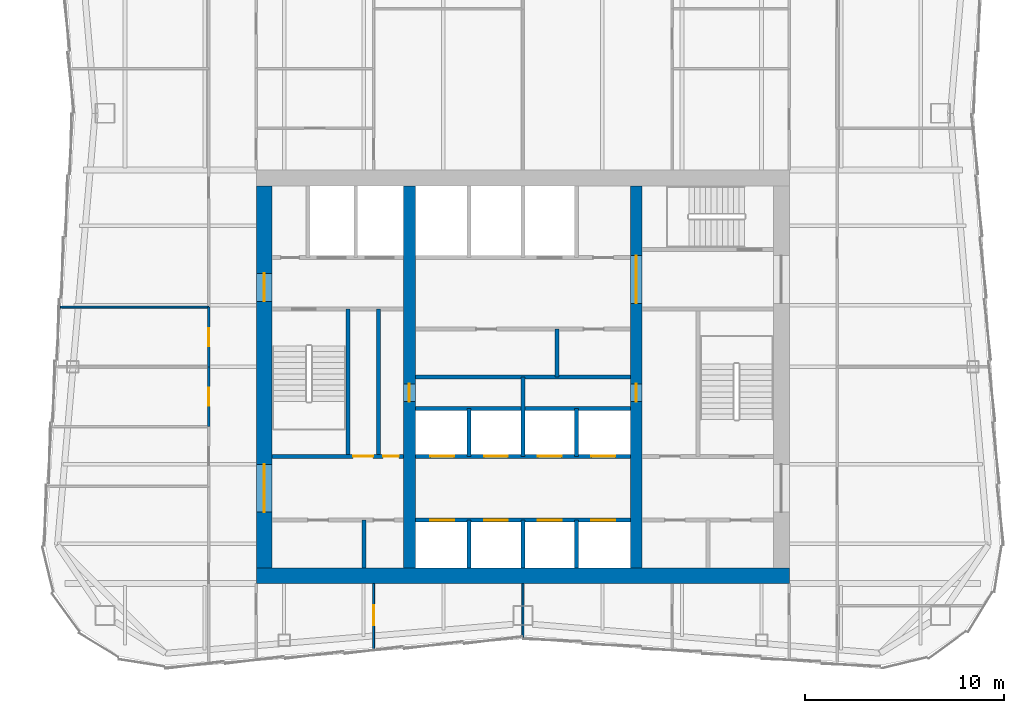
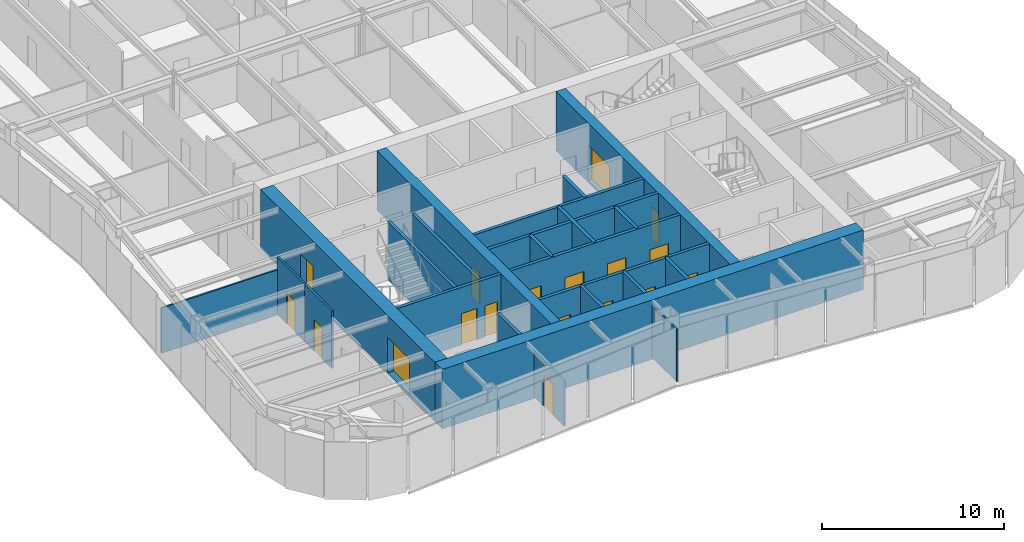
# One storey, part 6 of 11: 24 walls, 18 doors, 18 openings.
"""IFC4 building model written with IfcOpenShell, lengths in metres."""

from ifc_helpers import new_model, si_unit, direction, frame, frame_2d, origin, place, context, subcontext, project, spatial, rectangle, extrude, material, layer, layer_set, type_object, element, fill, save


model = new_model("IFC4")

# Units and contexts
model_context = context("Model", 3, precision=1e-05, world=origin(), true_north=direction((0.0, 1.0)))
body_context = subcontext(model_context, "Body", "Model", "MODEL_VIEW")
ifc_project = project(units=[si_unit("LENGTHUNIT", "METRE"), si_unit("AREAUNIT", "SQUARE_METRE"), si_unit("VOLUMEUNIT", "CUBIC_METRE"), si_unit("PLANEANGLEUNIT", "RADIAN"), si_unit("MASSUNIT", "GRAM", prefix="KILO")], contexts=[model_context])

# Site, building, storey
site_placement = place(None, origin())
site = spatial("IfcSite", under=ifc_project, at=site_placement, CompositionType="ELEMENT")
building_placement = place(site_placement, origin())
building = spatial("IfcBuilding", under=site, at=building_placement, Name="Verdant Reach Tower", CompositionType="ELEMENT")
storey_placement = place(building_placement, frame((0.0, 0.0, 258.0)))
storey = spatial("IfcBuildingStorey", under=building, at=storey_placement, Name="L59", CompositionType="ELEMENT", Elevation=258.0)

# Walls
ifc_material_1 = material(Name="Gypsum board on steel studs", Category="steel")
ifc_layer_1 = layer(ifc_material_1, 0.199951171875)
ifc_layer_set_1 = layer_set([ifc_layer_1], Name="CO-WALL-ROOM")
wall_type_1 = type_object("IfcWallType", Name="CO-WALL-ROOM", PredefinedType="PARTITIONING", material=ifc_layer_set_1)
wall_1_placement = place(storey_placement, frame((-5.39990234375, 28.0, 0.0), z_axis=(0.0, 0.0, 1.0), x_axis=(1.0, 0.0, 0.0)))
element("IfcWall", 1, at=wall_1_placement, inside=storey, type_object=wall_type_1, Name="Core partition, L59", PredefinedType="PARTITIONING", context=body_context, shape_type="SweptSolid", body=[
    extrude(rectangle(XDim=10.7998046875, YDim=0.199951171875, at=frame_2d((5.39990234375, 0.0))), origin(), (0.0, 0.0, 1.0), 3.8701171875),
])
wall_2_placement = place(storey_placement, frame((-7.97998046875, 18.39990234375, 0.0), z_axis=(0.0, 0.0, 1.0), x_axis=(0.0, 1.0, 0.0)))
element("IfcWall", 2, at=wall_2_placement, inside=storey, type_object=wall_type_1, Name="Core partition, L59", PredefinedType="PARTITIONING", context=body_context, shape_type="SweptSolid", body=[
    extrude(rectangle(XDim=2.400146484375, YDim=0.199951171875, at=frame_2d((1.2001953125, 0.0))), origin(), (0.0, 0.0, 1.0), 3.8701171875),
])
wall_3_placement = place(storey_placement, frame((-7.260009765625, 24.0, 0.0), z_axis=(0.0, 0.0, 1.0), x_axis=(0.0, 1.0, 0.0)))
element("IfcWall", 3, at=wall_3_placement, inside=storey, type_object=wall_type_1, Name="Core partition, L59", PredefinedType="PARTITIONING", context=body_context, shape_type="SweptSolid", body=[
    extrude(rectangle(XDim=7.39990234375, YDim=0.199951171875, at=frame_2d((3.699951171875, 0.0))), origin(), (0.0, 0.0, 1.0), 3.8701171875),
])
wall_4_placement = place(storey_placement, frame((1.72802734375, 28.0, 0.0), z_axis=(0.0, 0.0, 1.0), x_axis=(0.0, 1.0, 0.0)))
element("IfcWall", 4, at=wall_4_placement, inside=storey, type_object=wall_type_1, Name="Core partition, L59", PredefinedType="PARTITIONING", context=body_context, shape_type="SweptSolid", body=[
    extrude(rectangle(XDim=2.39990234375, YDim=0.199951171875, at=frame_2d((1.199951171875, 0.0))), origin(), (0.0, 0.0, 1.0), 3.8701171875),
])

# Wall, openings, doors
ifc_material_2 = material(Name="Concrete C40/50", Category="concrete")
ifc_layer_2 = layer(ifc_material_2, 0.199951171875)
ifc_layer_set_2 = layer_set([ifc_layer_2], Name="CO-WALL-SHAFT")
wall_type_2 = type_object("IfcWallType", Name="CO-WALL-SHAFT", PredefinedType="PARTITIONING", material=ifc_layer_set_2)
wall_5_placement = place(storey_placement, frame((-5.39990234375, 20.800048828125, 0.0), z_axis=(0.0, 0.0, 1.0), x_axis=(1.0, 0.0, 0.0)))
wall_5 = element("IfcWall", 5, at=wall_5_placement, inside=storey, type_object=wall_type_2, Name="Lift shaft wall, L59", PredefinedType="PARTITIONING", context=body_context, shape_type="SweptSolid", body=[
    extrude(rectangle(XDim=10.7998046875, YDim=0.199951171875, at=frame_2d((5.39990234375, 0.0))), origin(), (0.0, 0.0, 1.0), 3.8701171875),
])
opening_1_placement = place(wall_5_placement, frame((0.75, 0.0, 0.0)))
opening_1 = element("IfcOpeningElement", 6, at=opening_1_placement, cuts=wall_5, Name="Opening LD-B1", PredefinedType="OPENING", context=body_context, shape_type="SweptSolid", body=[
    extrude(rectangle(XDim=1.199951171875, YDim=2.199951171875, at=frame_2d((0.60009765625, 1.10009765625))), frame((0.0, 0.10986328125, 0.0), z_axis=(0.0, -1.0, 0.0), x_axis=(1.0, 0.0, 0.0)), (0.0, 0.0, 1.0), 0.219970703125),
])
opening_2_placement = place(wall_5_placement, frame((3.449951171875, 0.0, 0.0)))
opening_2 = element("IfcOpeningElement", 7, at=opening_2_placement, cuts=wall_5, Name="Opening LD-B2", PredefinedType="OPENING", context=body_context, shape_type="SweptSolid", body=[
    extrude(rectangle(XDim=1.199951171875, YDim=2.199951171875, at=frame_2d((0.60009765625, 1.10009765625))), frame((0.0, 0.10986328125, 0.0), z_axis=(0.0, -1.0, 0.0), x_axis=(1.0, 0.0, 0.0)), (0.0, 0.0, 1.0), 0.219970703125),
])
opening_3_placement = place(wall_5_placement, frame((6.14990234375, 0.0, 0.0)))
opening_3 = element("IfcOpeningElement", 8, at=opening_3_placement, cuts=wall_5, Name="Opening LD-B3", PredefinedType="OPENING", context=body_context, shape_type="SweptSolid", body=[
    extrude(rectangle(XDim=1.199951171875, YDim=2.199951171875, at=frame_2d((0.60009765625, 1.10009765625))), frame((0.0, 0.10986328125, 0.0), z_axis=(0.0, -1.0, 0.0), x_axis=(1.0, 0.0, 0.0)), (0.0, 0.0, 1.0), 0.219970703125),
])
opening_4_placement = place(wall_5_placement, frame((8.85009765625, 0.0, 0.0)))
opening_4 = element("IfcOpeningElement", 9, at=opening_4_placement, cuts=wall_5, Name="Opening LD-B4", PredefinedType="OPENING", context=body_context, shape_type="SweptSolid", body=[
    extrude(rectangle(XDim=1.199951171875, YDim=2.199951171875, at=frame_2d((0.60009765625, 1.10009765625))), frame((0.0, 0.10986328125, 0.0), z_axis=(0.0, -1.0, 0.0), x_axis=(1.0, 0.0, 0.0)), (0.0, 0.0, 1.0), 0.219970703125),
])
ifc_material_3 = material(Name="Stainless steel", Category="steel")
door_type_1 = type_object("IfcDoorType", Name="CO-DOOR-LANDING", OperationType="SLIDING_TO_LEFT", PredefinedType="DOOR", material=ifc_material_3)
door_1_placement = place(opening_1_placement, origin())
door_1 = element("IfcDoor", 10, at=door_1_placement, inside=storey, type_object=door_type_1, Name="Landing door B1, L59", OperationType="SLIDING_TO_LEFT", OverallHeight=2.199951171875, OverallWidth=1.199951171875, PredefinedType="DOOR", context=body_context, shape_type="SweptSolid", body=[
    extrude(rectangle(XDim=1.199951171875, YDim=2.199951171875, at=frame_2d((0.60009765625, 1.10009765625))), frame((0.0, 0.02490234375, 0.0), z_axis=(0.0, -1.0, 0.0), x_axis=(1.0, 0.0, 0.0)), (0.0, 0.0, 1.0), 0.050048828125),
])
fill(opening_1, door_1)
door_2_placement = place(opening_2_placement, origin())
door_2 = element("IfcDoor", 11, at=door_2_placement, inside=storey, type_object=door_type_1, Name="Landing door B2, L59", OperationType="SLIDING_TO_LEFT", OverallHeight=2.199951171875, OverallWidth=1.199951171875, PredefinedType="DOOR", context=body_context, shape_type="SweptSolid", body=[
    extrude(rectangle(XDim=1.199951171875, YDim=2.199951171875, at=frame_2d((0.60009765625, 1.10009765625))), frame((0.0, 0.02490234375, 0.0), z_axis=(0.0, -1.0, 0.0), x_axis=(1.0, 0.0, 0.0)), (0.0, 0.0, 1.0), 0.050048828125),
])
fill(opening_2, door_2)
door_3_placement = place(opening_3_placement, origin())
door_3 = element("IfcDoor", 12, at=door_3_placement, inside=storey, type_object=door_type_1, Name="Landing door B3, L59", OperationType="SLIDING_TO_LEFT", OverallHeight=2.199951171875, OverallWidth=1.199951171875, PredefinedType="DOOR", context=body_context, shape_type="SweptSolid", body=[
    extrude(rectangle(XDim=1.199951171875, YDim=2.199951171875, at=frame_2d((0.60009765625, 1.10009765625))), frame((0.0, 0.02490234375, 0.0), z_axis=(0.0, -1.0, 0.0), x_axis=(1.0, 0.0, 0.0)), (0.0, 0.0, 1.0), 0.050048828125),
])
fill(opening_3, door_3)
door_4_placement = place(opening_4_placement, origin())
door_4 = element("IfcDoor", 13, at=door_4_placement, inside=storey, type_object=door_type_1, Name="Landing door B4, L59", OperationType="SLIDING_TO_LEFT", OverallHeight=2.199951171875, OverallWidth=1.199951171875, PredefinedType="DOOR", context=body_context, shape_type="SweptSolid", body=[
    extrude(rectangle(XDim=1.199951171875, YDim=2.199951171875, at=frame_2d((0.60009765625, 1.10009765625))), frame((0.0, 0.02490234375, 0.0), z_axis=(0.0, -1.0, 0.0), x_axis=(1.0, 0.0, 0.0)), (0.0, 0.0, 1.0), 0.050048828125),
])
fill(opening_4, door_4)

wall_6_placement = place(storey_placement, frame((-5.39990234375, 24.0, 0.0), z_axis=(0.0, 0.0, 1.0), x_axis=(1.0, 0.0, 0.0)))
wall_6 = element("IfcWall", 14, at=wall_6_placement, inside=storey, type_object=wall_type_2, Name="Lift shaft wall, L59", PredefinedType="PARTITIONING", context=body_context, shape_type="SweptSolid", body=[
    extrude(rectangle(XDim=10.7998046875, YDim=0.199951171875, at=frame_2d((5.39990234375, 0.0))), origin(), (0.0, 0.0, 1.0), 3.8701171875),
])
opening_5_placement = place(wall_6_placement, frame((0.75, 0.0, 0.0)))
opening_5 = element("IfcOpeningElement", 15, at=opening_5_placement, cuts=wall_6, Name="Opening LD-A5", PredefinedType="OPENING", context=body_context, shape_type="SweptSolid", body=[
    extrude(rectangle(XDim=1.199951171875, YDim=2.199951171875, at=frame_2d((0.60009765625, 1.10009765625))), frame((0.0, 0.10986328125, 0.0), z_axis=(0.0, -1.0, 0.0), x_axis=(1.0, 0.0, 0.0)), (0.0, 0.0, 1.0), 0.219970703125),
])
opening_6_placement = place(wall_6_placement, frame((3.449951171875, 0.0, 0.0)))
opening_6 = element("IfcOpeningElement", 16, at=opening_6_placement, cuts=wall_6, Name="Opening LD-A6", PredefinedType="OPENING", context=body_context, shape_type="SweptSolid", body=[
    extrude(rectangle(XDim=1.199951171875, YDim=2.199951171875, at=frame_2d((0.60009765625, 1.10009765625))), frame((0.0, 0.10986328125, 0.0), z_axis=(0.0, -1.0, 0.0), x_axis=(1.0, 0.0, 0.0)), (0.0, 0.0, 1.0), 0.219970703125),
])
opening_7_placement = place(wall_6_placement, frame((6.14990234375, 0.0, 0.0)))
opening_7 = element("IfcOpeningElement", 17, at=opening_7_placement, cuts=wall_6, Name="Opening LD-A7", PredefinedType="OPENING", context=body_context, shape_type="SweptSolid", body=[
    extrude(rectangle(XDim=1.199951171875, YDim=2.199951171875, at=frame_2d((0.60009765625, 1.10009765625))), frame((0.0, 0.10986328125, 0.0), z_axis=(0.0, -1.0, 0.0), x_axis=(1.0, 0.0, 0.0)), (0.0, 0.0, 1.0), 0.219970703125),
])
opening_8_placement = place(wall_6_placement, frame((8.85009765625, 0.0, 0.0)))
opening_8 = element("IfcOpeningElement", 18, at=opening_8_placement, cuts=wall_6, Name="Opening LD-A8", PredefinedType="OPENING", context=body_context, shape_type="SweptSolid", body=[
    extrude(rectangle(XDim=1.199951171875, YDim=2.199951171875, at=frame_2d((0.60009765625, 1.10009765625))), frame((0.0, 0.10986328125, 0.0), z_axis=(0.0, -1.0, 0.0), x_axis=(1.0, 0.0, 0.0)), (0.0, 0.0, 1.0), 0.219970703125),
])
door_5_placement = place(opening_5_placement, origin())
door_5 = element("IfcDoor", 19, at=door_5_placement, inside=storey, type_object=door_type_1, Name="Landing door A5, L59", OperationType="SLIDING_TO_LEFT", OverallHeight=2.199951171875, OverallWidth=1.199951171875, PredefinedType="DOOR", context=body_context, shape_type="SweptSolid", body=[
    extrude(rectangle(XDim=1.199951171875, YDim=2.199951171875, at=frame_2d((0.60009765625, 1.10009765625))), frame((0.0, 0.02490234375, 0.0), z_axis=(0.0, -1.0, 0.0), x_axis=(1.0, 0.0, 0.0)), (0.0, 0.0, 1.0), 0.050048828125),
])
fill(opening_5, door_5)
door_6_placement = place(opening_6_placement, origin())
door_6 = element("IfcDoor", 20, at=door_6_placement, inside=storey, type_object=door_type_1, Name="Landing door A6, L59", OperationType="SLIDING_TO_LEFT", OverallHeight=2.199951171875, OverallWidth=1.199951171875, PredefinedType="DOOR", context=body_context, shape_type="SweptSolid", body=[
    extrude(rectangle(XDim=1.199951171875, YDim=2.199951171875, at=frame_2d((0.60009765625, 1.10009765625))), frame((0.0, 0.02490234375, 0.0), z_axis=(0.0, -1.0, 0.0), x_axis=(1.0, 0.0, 0.0)), (0.0, 0.0, 1.0), 0.050048828125),
])
fill(opening_6, door_6)
door_7_placement = place(opening_7_placement, origin())
door_7 = element("IfcDoor", 21, at=door_7_placement, inside=storey, type_object=door_type_1, Name="Landing door A7, L59", OperationType="SLIDING_TO_LEFT", OverallHeight=2.199951171875, OverallWidth=1.199951171875, PredefinedType="DOOR", context=body_context, shape_type="SweptSolid", body=[
    extrude(rectangle(XDim=1.199951171875, YDim=2.199951171875, at=frame_2d((0.60009765625, 1.10009765625))), frame((0.0, 0.02490234375, 0.0), z_axis=(0.0, -1.0, 0.0), x_axis=(1.0, 0.0, 0.0)), (0.0, 0.0, 1.0), 0.050048828125),
])
fill(opening_7, door_7)
door_8_placement = place(opening_8_placement, origin())
door_8 = element("IfcDoor", 22, at=door_8_placement, inside=storey, type_object=door_type_1, Name="Landing door A8, L59", OperationType="SLIDING_TO_LEFT", OverallHeight=2.199951171875, OverallWidth=1.199951171875, PredefinedType="DOOR", context=body_context, shape_type="SweptSolid", body=[
    extrude(rectangle(XDim=1.199951171875, YDim=2.199951171875, at=frame_2d((0.60009765625, 1.10009765625))), frame((0.0, 0.02490234375, 0.0), z_axis=(0.0, -1.0, 0.0), x_axis=(1.0, 0.0, 0.0)), (0.0, 0.0, 1.0), 0.050048828125),
])
fill(opening_8, door_8)

# Walls
wall_7_placement = place(storey_placement, frame((-5.39990234375, 26.39990234375, 0.0), z_axis=(0.0, 0.0, 1.0), x_axis=(1.0, 0.0, 0.0)))
element("IfcWall", 23, at=wall_7_placement, inside=storey, type_object=wall_type_2, Name="Lift shaft wall, L59", PredefinedType="PARTITIONING", context=body_context, shape_type="SweptSolid", body=[
    extrude(rectangle(XDim=10.7998046875, YDim=0.199951171875, at=frame_2d((5.39990234375, 0.0))), origin(), (0.0, 0.0, 1.0), 3.8701171875),
])
wall_8_placement = place(storey_placement, frame((-2.699951171875, 18.39990234375, 0.0), z_axis=(0.0, 0.0, 1.0), x_axis=(0.0, 1.0, 0.0)))
element("IfcWall", 24, at=wall_8_placement, inside=storey, type_object=wall_type_2, Name="Lift shaft wall, L59", PredefinedType="PARTITIONING", context=body_context, shape_type="SweptSolid", body=[
    extrude(rectangle(XDim=2.400146484375, YDim=0.199951171875, at=frame_2d((1.2001953125, 0.0))), origin(), (0.0, 0.0, 1.0), 3.8701171875),
])
wall_9_placement = place(storey_placement, frame((-2.699951171875, 24.0, 0.0), z_axis=(0.0, 0.0, 1.0), x_axis=(0.0, 1.0, 0.0)))
element("IfcWall", 25, at=wall_9_placement, inside=storey, type_object=wall_type_2, Name="Lift shaft wall, L59", PredefinedType="PARTITIONING", context=body_context, shape_type="SweptSolid", body=[
    extrude(rectangle(XDim=2.39990234375, YDim=0.199951171875, at=frame_2d((1.199951171875, 0.0))), origin(), (0.0, 0.0, 1.0), 3.8701171875),
])
wall_10_placement = place(storey_placement, frame((0.0, 18.39990234375, 0.0), z_axis=(0.0, 0.0, 1.0), x_axis=(0.0, 1.0, 0.0)))
element("IfcWall", 26, at=wall_10_placement, inside=storey, type_object=wall_type_2, Name="Lift shaft wall, L59", PredefinedType="PARTITIONING", context=body_context, shape_type="SweptSolid", body=[
    extrude(rectangle(XDim=2.400146484375, YDim=0.199951171875, at=frame_2d((1.2001953125, 0.0))), origin(), (0.0, 0.0, 1.0), 3.8701171875),
])
wall_11_placement = place(storey_placement, frame((0.0, 24.0, 0.0), z_axis=(0.0, 0.0, 1.0), x_axis=(0.0, 1.0, 0.0)))
element("IfcWall", 27, at=wall_11_placement, inside=storey, type_object=wall_type_2, Name="Lift shaft wall, L59", PredefinedType="PARTITIONING", context=body_context, shape_type="SweptSolid", body=[
    extrude(rectangle(XDim=4.0, YDim=0.199951171875, at=frame_2d((2.0, 0.0))), origin(), (0.0, 0.0, 1.0), 3.8701171875),
])
wall_12_placement = place(storey_placement, frame((2.699951171875, 18.39990234375, 0.0), z_axis=(0.0, 0.0, 1.0), x_axis=(0.0, 1.0, 0.0)))
element("IfcWall", 28, at=wall_12_placement, inside=storey, type_object=wall_type_2, Name="Lift shaft wall, L59", PredefinedType="PARTITIONING", context=body_context, shape_type="SweptSolid", body=[
    extrude(rectangle(XDim=2.400146484375, YDim=0.199951171875, at=frame_2d((1.2001953125, 0.0))), origin(), (0.0, 0.0, 1.0), 3.8701171875),
])
wall_13_placement = place(storey_placement, frame((2.699951171875, 24.0, 0.0), z_axis=(0.0, 0.0, 1.0), x_axis=(0.0, 1.0, 0.0)))
element("IfcWall", 29, at=wall_13_placement, inside=storey, type_object=wall_type_2, Name="Lift shaft wall, L59", PredefinedType="PARTITIONING", context=body_context, shape_type="SweptSolid", body=[
    extrude(rectangle(XDim=2.39990234375, YDim=0.199951171875, at=frame_2d((1.199951171875, 0.0))), origin(), (0.0, 0.0, 1.0), 3.8701171875),
])

# Wall, openings, doors
ifc_layer_3 = layer(ifc_material_2, 0.199951171875)
ifc_layer_set_3 = layer_set([ifc_layer_3], Name="CO-WALL-STAIR")
wall_type_3 = type_object("IfcWallType", Name="CO-WALL-STAIR", PredefinedType="PARTITIONING", material=ifc_layer_set_3)
wall_14_placement = place(storey_placement, frame((-12.60009765625, 24.0, 0.0), z_axis=(0.0, 0.0, 1.0), x_axis=(1.0, 0.0, 0.0)))
wall_14 = element("IfcWall", 30, at=wall_14_placement, inside=storey, type_object=wall_type_3, Name="Stair enclosure wall, L59", PredefinedType="PARTITIONING", context=body_context, shape_type="SweptSolid", body=[
    extrude(rectangle(XDim=6.60009765625, YDim=0.199951171875, at=frame_2d((3.300048828125, 0.0))), origin(), (0.0, 0.0, 1.0), 3.8701171875),
])
opening_9_placement = place(wall_14_placement, frame((4.070068359375, 0.0, 0.0)))
opening_9 = element("IfcOpeningElement", 31, at=opening_9_placement, cuts=wall_14, Name="Opening CD", PredefinedType="OPENING", context=body_context, shape_type="SweptSolid", body=[
    extrude(rectangle(XDim=1.0, YDim=2.10009765625, at=frame_2d((0.5, 1.050048828125))), frame((0.0, 0.10986328125, 0.0), z_axis=(0.0, -1.0, 0.0), x_axis=(1.0, 0.0, 0.0)), (0.0, 0.0, 1.0), 0.219970703125),
])
opening_10_placement = place(wall_14_placement, frame((5.570068359375, 0.0, 0.0)))
opening_10 = element("IfcOpeningElement", 32, at=opening_10_placement, cuts=wall_14, Name="Opening CDN", PredefinedType="OPENING", context=body_context, shape_type="SweptSolid", body=[
    extrude(rectangle(XDim=0.800048828125, YDim=2.10009765625, at=frame_2d((0.39990234375, 1.050048828125))), frame((0.0, 0.10986328125, 0.0), z_axis=(0.0, -1.0, 0.0), x_axis=(1.0, 0.0, 0.0)), (0.0, 0.0, 1.0), 0.219970703125),
])
ifc_material_4 = material(Name="Timber", Category="wood")
door_type_2 = type_object("IfcDoorType", Name="CO-DOOR-ROOM", OperationType="NOTDEFINED", PredefinedType="DOOR", material=ifc_material_4)
door_9_placement = place(opening_9_placement, origin())
door_9 = element("IfcDoor", 33, at=door_9_placement, inside=storey, type_object=door_type_2, Name="Core room door, L59", OperationType="SINGLE_SWING_RIGHT", OverallHeight=2.10009765625, OverallWidth=1.0, PredefinedType="DOOR", context=body_context, shape_type="SweptSolid", body=[
    extrude(rectangle(XDim=1.0, YDim=2.10009765625, at=frame_2d((0.5, 1.050048828125))), frame((0.0, 0.02490234375, 0.0), z_axis=(0.0, -1.0, 0.0), x_axis=(1.0, 0.0, 0.0)), (0.0, 0.0, 1.0), 0.050048828125),
])
fill(opening_9, door_9)
door_type_3 = type_object("IfcDoorType", Name="CO-DOOR-ROOM-NARROW", OperationType="NOTDEFINED", PredefinedType="DOOR", material=ifc_material_4)
door_10_placement = place(opening_10_placement, origin())
door_10 = element("IfcDoor", 34, at=door_10_placement, inside=storey, type_object=door_type_3, Name="Core room door, L59", OperationType="SINGLE_SWING_LEFT", OverallHeight=2.10009765625, OverallWidth=0.800048828125, PredefinedType="DOOR", context=body_context, shape_type="SweptSolid", body=[
    extrude(rectangle(XDim=0.800048828125, YDim=2.10009765625, at=frame_2d((0.39990234375, 1.050048828125))), frame((0.0, 0.02490234375, 0.0), z_axis=(0.0, -1.0, 0.0), x_axis=(1.0, 0.0, 0.0)), (0.0, 0.0, 1.0), 0.050048828125),
])
fill(opening_10, door_10)

# Walls
wall_15_placement = place(storey_placement, frame((-8.800048828125, 24.0, 0.0), z_axis=(0.0, 0.0, 1.0), x_axis=(0.0, 1.0, 0.0)))
element("IfcWall", 35, at=wall_15_placement, inside=storey, type_object=wall_type_3, Name="Stair enclosure wall, L59", PredefinedType="PARTITIONING", context=body_context, shape_type="SweptSolid", body=[
    extrude(rectangle(XDim=7.39990234375, YDim=0.199951171875, at=frame_2d((3.699951171875, 0.0))), origin(), (0.0, 0.0, 1.0), 3.8701171875),
])
ifc_layer_4 = layer(ifc_material_1, 0.10009765625)
ifc_layer_set_4 = layer_set([ifc_layer_4], Name="FL-W1 Partition 100")
wall_type_4 = type_object("IfcWallType", Name="FL-W1 Partition 100", PredefinedType="PARTITIONING", material=ifc_layer_set_4)
wall_16_placement = place(storey_placement, frame((-15.800048828125, 31.5, 0.0), z_axis=(0.0, 0.0, 1.0), x_axis=(-1.0, 0.0, 0.0)))
element("IfcWall", 36, at=wall_16_placement, inside=storey, type_object=wall_type_4, Name="Partition 59.37", PredefinedType="PARTITIONING", context=body_context, shape_type="SweptSolid", body=[
    extrude(rectangle(XDim=7.452392578125, YDim=0.10009765625, at=frame_2d((3.72607421875, 0.0))), origin(), (0.0, 0.0, 1.0), 3.0400390625),
])

# Wall, opening, door
wall_17_placement = place(storey_placement, frame((-7.5, 17.60009765625, 0.0), z_axis=(0.0, 0.0, 1.0), x_axis=(0.0, -1.0, 0.0)))
wall_17 = element("IfcWall", 37, at=wall_17_placement, inside=storey, type_object=wall_type_4, Name="Partition 59.45", PredefinedType="PARTITIONING", context=body_context, shape_type="SweptSolid", body=[
    extrude(rectangle(XDim=3.30517578125, YDim=0.10009765625, at=frame_2d((1.652587890625, 0.0))), origin(), (0.0, 0.0, 1.0), 3.0400390625),
])
opening_11_placement = place(wall_17_placement, frame((1.08740234375, 0.0, 0.0)))
opening_11 = element("IfcOpeningElement", 38, at=opening_11_placement, cuts=wall_17, Name="Opening D3", PredefinedType="OPENING", context=body_context, shape_type="SweptSolid", body=[
    extrude(rectangle(XDim=1.0, YDim=2.10009765625, at=frame_2d((0.5, 1.050048828125))), frame((0.0, 0.06005859375, 0.0), z_axis=(0.0, -1.0, 0.0), x_axis=(1.0, 0.0, 0.0)), (0.0, 0.0, 1.0), 0.1201171875),
])
ifc_material_5 = material(Name="Painted timber door leaf", Category="wood")
door_type_4 = type_object("IfcDoorType", Name="FL-D3 Door 1000x2100", OperationType="NOTDEFINED", PredefinedType="DOOR", material=ifc_material_5)
door_11_placement = place(opening_11_placement, origin())
door_11 = element("IfcDoor", 39, at=door_11_placement, inside=storey, type_object=door_type_4, Name="Door 59-027", OperationType="SINGLE_SWING_LEFT", OverallHeight=2.10009765625, OverallWidth=1.0, PredefinedType="DOOR", context=body_context, shape_type="SweptSolid", body=[
    extrude(rectangle(XDim=1.0, YDim=2.10009765625, at=frame_2d((0.5, 1.050048828125))), frame((0.0, 0.02490234375, 0.0), z_axis=(0.0, -1.0, 0.0), x_axis=(1.0, 0.0, 0.0)), (0.0, 0.0, 1.0), 0.050048828125),
])
fill(opening_11, door_11)

# Wall
wall_18_placement = place(storey_placement, frame((0.0, 14.919921875, 0.0), z_axis=(0.0, 0.0, 1.0), x_axis=(0.0, 1.0, 0.0)))
element("IfcWall", 40, at=wall_18_placement, inside=storey, type_object=wall_type_4, Name="Partition 59.46", PredefinedType="PARTITIONING", context=body_context, shape_type="SweptSolid", body=[
    extrude(rectangle(XDim=2.68017578125, YDim=0.10009765625, at=frame_2d((1.340087890625, 0.0))), origin(), (0.0, 0.0, 1.0), 3.5400390625),
])

# Wall, opening, door
ifc_material_6 = material(Name="Gypsum board on steel studs, fire rated", Category="steel")
ifc_layer_5 = layer(ifc_material_6, 0.125)
ifc_layer_set_5 = layer_set([ifc_layer_5], Name="FL-W2 Corridor wall 125")
wall_type_5 = type_object("IfcWallType", Name="FL-W2 Corridor wall 125", PredefinedType="PARTITIONING", material=ifc_layer_set_5)
wall_19_placement = place(storey_placement, frame((-15.800048828125, 25.5, 0.0), z_axis=(0.0, 0.0, 1.0), x_axis=(0.0, 1.0, 0.0)))
wall_19 = element("IfcWall", 41, at=wall_19_placement, inside=storey, type_object=wall_type_5, Name="Partition 59.03", PredefinedType="PARTITIONING", context=body_context, shape_type="SweptSolid", body=[
    extrude(rectangle(XDim=3.0, YDim=0.125, at=frame_2d((1.5, 0.0))), origin(), (0.0, 0.0, 1.0), 3.8701171875),
])
opening_12_placement = place(wall_19_placement, frame((1.050048828125, 0.0, 0.0)))
opening_12 = element("IfcOpeningElement", 42, at=opening_12_placement, cuts=wall_19, Name="Opening D1", PredefinedType="OPENING", context=body_context, shape_type="SweptSolid", body=[
    extrude(rectangle(XDim=0.89990234375, YDim=2.10009765625, at=frame_2d((0.449951171875, 1.050048828125))), frame((0.0, 0.072509765625, 0.0), z_axis=(0.0, -1.0, 0.0), x_axis=(1.0, 0.0, 0.0)), (0.0, 0.0, 1.0), 0.14501953125),
])
door_type_5 = type_object("IfcDoorType", Name="FL-D1 Door 900x2100", OperationType="NOTDEFINED", PredefinedType="DOOR", material=ifc_material_5)
door_12_placement = place(opening_12_placement, origin())
door_12 = element("IfcDoor", 43, at=door_12_placement, inside=storey, type_object=door_type_5, Name="Door 59-003", OperationType="SINGLE_SWING_LEFT", OverallHeight=2.10009765625, OverallWidth=0.89990234375, PredefinedType="DOOR", context=body_context, shape_type="SweptSolid", body=[
    extrude(rectangle(XDim=0.89990234375, YDim=2.10009765625, at=frame_2d((0.449951171875, 1.050048828125))), frame((0.0, 0.02490234375, 0.0), z_axis=(0.0, -1.0, 0.0), x_axis=(1.0, 0.0, 0.0)), (0.0, 0.0, 1.0), 0.050048828125),
])
fill(opening_12, door_12)

wall_20_placement = place(storey_placement, frame((-15.800048828125, 28.5, 0.0), z_axis=(0.0, 0.0, 1.0), x_axis=(0.0, 1.0, 0.0)))
wall_20 = element("IfcWall", 44, at=wall_20_placement, inside=storey, type_object=wall_type_5, Name="Partition 59.04", PredefinedType="PARTITIONING", context=body_context, shape_type="SweptSolid", body=[
    extrude(rectangle(XDim=3.0, YDim=0.125, at=frame_2d((1.5, 0.0))), origin(), (0.0, 0.0, 1.0), 3.8701171875),
])
opening_13_placement = place(wall_20_placement, frame((1.050048828125, 0.0, 0.0)))
opening_13 = element("IfcOpeningElement", 45, at=opening_13_placement, cuts=wall_20, Name="Opening D1", PredefinedType="OPENING", context=body_context, shape_type="SweptSolid", body=[
    extrude(rectangle(XDim=0.89990234375, YDim=2.10009765625, at=frame_2d((0.449951171875, 1.050048828125))), frame((0.0, 0.072509765625, 0.0), z_axis=(0.0, -1.0, 0.0), x_axis=(1.0, 0.0, 0.0)), (0.0, 0.0, 1.0), 0.14501953125),
])
door_13_placement = place(opening_13_placement, origin())
door_13 = element("IfcDoor", 46, at=door_13_placement, inside=storey, type_object=door_type_5, Name="Door 59-004", OperationType="SINGLE_SWING_RIGHT", OverallHeight=2.10009765625, OverallWidth=0.89990234375, PredefinedType="DOOR", context=body_context, shape_type="SweptSolid", body=[
    extrude(rectangle(XDim=0.89990234375, YDim=2.10009765625, at=frame_2d((0.449951171875, 1.050048828125))), frame((0.0, 0.02490234375, 0.0), z_axis=(0.0, -1.0, 0.0), x_axis=(1.0, 0.0, 0.0)), (0.0, 0.0, 1.0), 0.050048828125),
])
fill(opening_13, door_13)

ifc_material_7 = material(Name="Concrete C70/85", Category="concrete")
ifc_layer_6 = layer(ifc_material_7, 0.60009765625)
ifc_layer_set_6 = layer_set([ifc_layer_6], Name="ST-CORE-WALL-600")
wall_type_6 = type_object("IfcWallType", Name="ST-CORE-WALL-600", PredefinedType="SHEAR", material=ifc_layer_set_6)
wall_21_placement = place(storey_placement, frame((-5.699951171875, 18.39990234375, -0.1298828125), z_axis=(0.0, 0.0, 1.0), x_axis=(0.0, 1.0, 0.0)))
wall_21 = element("IfcWall", 47, at=wall_21_placement, inside=storey, type_object=wall_type_6, Name="Core wall XW, L59", PredefinedType="SHEAR", context=body_context, shape_type="SweptSolid", body=[
    extrude(rectangle(XDim=19.2001953125, YDim=0.60009765625, at=frame_2d((9.60009765625, 0.0))), origin(), (0.0, 0.0, 1.0), 4.0),
])
opening_14_placement = place(wall_21_placement, frame((8.35009765625, 0.0, 0.1298828125)))
opening_14 = element("IfcOpeningElement", 48, at=opening_14_placement, cuts=wall_21, Name="Opening RD", PredefinedType="OPENING", context=body_context, shape_type="SweptSolid", body=[
    extrude(rectangle(XDim=0.89990234375, YDim=2.10009765625, at=frame_2d((0.449951171875, 1.050048828125))), frame((0.0, 0.31005859375, 0.0), z_axis=(0.0, -1.0, 0.0), x_axis=(1.0, 0.0, 0.0)), (0.0, 0.0, 1.0), 0.6201171875),
])
ifc_material_8 = material(Name="Steel", Category="steel")
door_type_6 = type_object("IfcDoorType", Name="CO-DOOR-RISER", OperationType="NOTDEFINED", PredefinedType="DOOR", material=ifc_material_8)
door_14_placement = place(opening_14_placement, origin())
door_14 = element("IfcDoor", 49, at=door_14_placement, inside=storey, type_object=door_type_6, Name="Riser door, L59", OperationType="SINGLE_SWING_LEFT", OverallHeight=2.10009765625, OverallWidth=0.89990234375, PredefinedType="DOOR", context=body_context, shape_type="SweptSolid", body=[
    extrude(rectangle(XDim=0.89990234375, YDim=2.10009765625, at=frame_2d((0.449951171875, 1.050048828125))), frame((0.0, 0.02490234375, 0.0), z_axis=(0.0, -1.0, 0.0), x_axis=(1.0, 0.0, 0.0)), (0.0, 0.0, 1.0), 0.050048828125),
])
fill(opening_14, door_14)

# Wall, openings, doors
wall_22_placement = place(storey_placement, frame((5.699951171875, 18.39990234375, -0.1298828125), z_axis=(0.0, 0.0, 1.0), x_axis=(0.0, 1.0, 0.0)))
wall_22 = element("IfcWall", 50, at=wall_22_placement, inside=storey, type_object=wall_type_6, Name="Core wall XE, L59", PredefinedType="SHEAR", context=body_context, shape_type="SweptSolid", body=[
    extrude(rectangle(XDim=19.2001953125, YDim=0.60009765625, at=frame_2d((9.60009765625, 0.0))), origin(), (0.0, 0.0, 1.0), 4.0),
])
opening_15_placement = place(wall_22_placement, frame((8.35009765625, 0.0, 0.1298828125)))
opening_15 = element("IfcOpeningElement", 51, at=opening_15_placement, cuts=wall_22, Name="Opening RD", PredefinedType="OPENING", context=body_context, shape_type="SweptSolid", body=[
    extrude(rectangle(XDim=0.89990234375, YDim=2.10009765625, at=frame_2d((0.449951171875, 1.050048828125))), frame((0.0, 0.31005859375, 0.0), z_axis=(0.0, -1.0, 0.0), x_axis=(1.0, 0.0, 0.0)), (0.0, 0.0, 1.0), 0.6201171875),
])
opening_16_placement = place(wall_22_placement, frame((13.300048828125, 0.0, 0.1298828125)))
opening_16 = element("IfcOpeningElement", 52, at=opening_16_placement, cuts=wall_22, Name="Opening LB", PredefinedType="OPENING", context=body_context, shape_type="SweptSolid", body=[
    extrude(rectangle(XDim=2.39990234375, YDim=2.39990234375, at=frame_2d((1.199951171875, 1.199951171875))), frame((0.0, 0.31005859375, 0.0), z_axis=(0.0, -1.0, 0.0), x_axis=(1.0, 0.0, 0.0)), (0.0, 0.0, 1.0), 0.6201171875),
])
ifc_material_9 = material(Name="Glass and steel", Category="steel")
door_type_7 = type_object("IfcDoorType", Name="CO-DOOR-LOBBY", OperationType="DOUBLE_DOOR_SINGLE_SWING", PredefinedType="DOOR", material=ifc_material_9)
door_15_placement = place(opening_16_placement, origin())
door_15 = element("IfcDoor", 53, at=door_15_placement, inside=storey, type_object=door_type_7, Name="Core entrance door, L59", OperationType="DOUBLE_DOOR_SINGLE_SWING", OverallHeight=2.39990234375, OverallWidth=2.39990234375, PredefinedType="DOOR", context=body_context, shape_type="SweptSolid", body=[
    extrude(rectangle(XDim=2.39990234375, YDim=2.39990234375, at=frame_2d((1.199951171875, 1.199951171875))), frame((0.0, 0.02490234375, 0.0), z_axis=(0.0, -1.0, 0.0), x_axis=(1.0, 0.0, 0.0)), (0.0, 0.0, 1.0), 0.050048828125),
])
fill(opening_16, door_15)
door_16_placement = place(opening_15_placement, origin())
door_16 = element("IfcDoor", 54, at=door_16_placement, inside=storey, type_object=door_type_6, Name="Riser door, L59", OperationType="SINGLE_SWING_RIGHT", OverallHeight=2.10009765625, OverallWidth=0.89990234375, PredefinedType="DOOR", context=body_context, shape_type="SweptSolid", body=[
    extrude(rectangle(XDim=0.89990234375, YDim=2.10009765625, at=frame_2d((0.449951171875, 1.050048828125))), frame((0.0, 0.02490234375, 0.0), z_axis=(0.0, -1.0, 0.0), x_axis=(1.0, 0.0, 0.0)), (0.0, 0.0, 1.0), 0.050048828125),
])
fill(opening_15, door_16)

# Wall
ifc_layer_7 = layer(ifc_material_7, 0.800048828125)
ifc_layer_set_7 = layer_set([ifc_layer_7], Name="ST-CORE-WALL-800")
wall_type_7 = type_object("IfcWallType", Name="ST-CORE-WALL-800", PredefinedType="SHEAR", material=ifc_layer_set_7)
wall_23_placement = place(storey_placement, frame((-13.39990234375, 18.0, -0.1298828125), z_axis=(0.0, 0.0, 1.0), x_axis=(1.0, 0.0, 0.0)))
element("IfcWall", 55, at=wall_23_placement, inside=storey, type_object=wall_type_7, Name="Core wall S, L59", PredefinedType="SHEAR", context=body_context, shape_type="SweptSolid", body=[
    extrude(rectangle(XDim=26.7998046875, YDim=0.800048828125, at=frame_2d((13.39990234375, 0.0))), origin(), (0.0, 0.0, 1.0), 4.0),
])

# Wall, openings, doors
wall_24_placement = place(storey_placement, frame((-13.0, 18.39990234375, -0.1298828125), z_axis=(0.0, 0.0, 1.0), x_axis=(0.0, 1.0, 0.0)))
wall_24 = element("IfcWall", 56, at=wall_24_placement, inside=storey, type_object=wall_type_7, Name="Core wall W, L59", PredefinedType="SHEAR", context=body_context, shape_type="SweptSolid", body=[
    extrude(rectangle(XDim=19.2001953125, YDim=0.800048828125, at=frame_2d((9.60009765625, 0.0))), origin(), (0.0, 0.0, 1.0), 4.0),
])
opening_17_placement = place(wall_24_placement, frame((2.800048828125, 0.0, 0.1298828125)))
opening_17 = element("IfcOpeningElement", 57, at=opening_17_placement, cuts=wall_24, Name="Opening LB", PredefinedType="OPENING", context=body_context, shape_type="SweptSolid", body=[
    extrude(rectangle(XDim=2.39990234375, YDim=2.39990234375, at=frame_2d((1.199951171875, 1.199951171875))), frame((0.0, 0.409912109375, 0.0), z_axis=(0.0, -1.0, 0.0), x_axis=(1.0, 0.0, 0.0)), (0.0, 0.0, 1.0), 0.820068359375),
])
opening_18_placement = place(wall_24_placement, frame((13.39990234375, 0.0, 0.1298828125)))
opening_18 = element("IfcOpeningElement", 58, at=opening_18_placement, cuts=wall_24, Name="Opening FL", PredefinedType="OPENING", context=body_context, shape_type="SweptSolid", body=[
    extrude(rectangle(XDim=1.39990234375, YDim=2.199951171875, at=frame_2d((0.699951171875, 1.10009765625))), frame((0.0, 0.409912109375, 0.0), z_axis=(0.0, -1.0, 0.0), x_axis=(1.0, 0.0, 0.0)), (0.0, 0.0, 1.0), 0.820068359375),
])
door_type_8 = type_object("IfcDoorType", Name="CO-DOOR-FFL", OperationType="NOTDEFINED", PredefinedType="DOOR", material=ifc_material_8)
door_17_placement = place(opening_18_placement, origin())
door_17 = element("IfcDoor", 59, at=door_17_placement, inside=storey, type_object=door_type_8, Name="Core entrance door, L59", OperationType="SINGLE_SWING_RIGHT", OverallHeight=2.199951171875, OverallWidth=1.39990234375, PredefinedType="DOOR", context=body_context, shape_type="SweptSolid", body=[
    extrude(rectangle(XDim=1.39990234375, YDim=2.199951171875, at=frame_2d((0.699951171875, 1.10009765625))), frame((0.0, 0.02490234375, 0.0), z_axis=(0.0, -1.0, 0.0), x_axis=(1.0, 0.0, 0.0)), (0.0, 0.0, 1.0), 0.050048828125),
])
fill(opening_18, door_17)
door_18_placement = place(opening_17_placement, origin())
door_18 = element("IfcDoor", 60, at=door_18_placement, inside=storey, type_object=door_type_7, Name="Core entrance door, L59", OperationType="DOUBLE_DOOR_SINGLE_SWING", OverallHeight=2.39990234375, OverallWidth=2.39990234375, PredefinedType="DOOR", context=body_context, shape_type="SweptSolid", body=[
    extrude(rectangle(XDim=2.39990234375, YDim=2.39990234375, at=frame_2d((1.199951171875, 1.199951171875))), frame((0.0, 0.02490234375, 0.0), z_axis=(0.0, -1.0, 0.0), x_axis=(1.0, 0.0, 0.0)), (0.0, 0.0, 1.0), 0.050048828125),
])
fill(opening_17, door_18)

save(model, "model.ifc")
